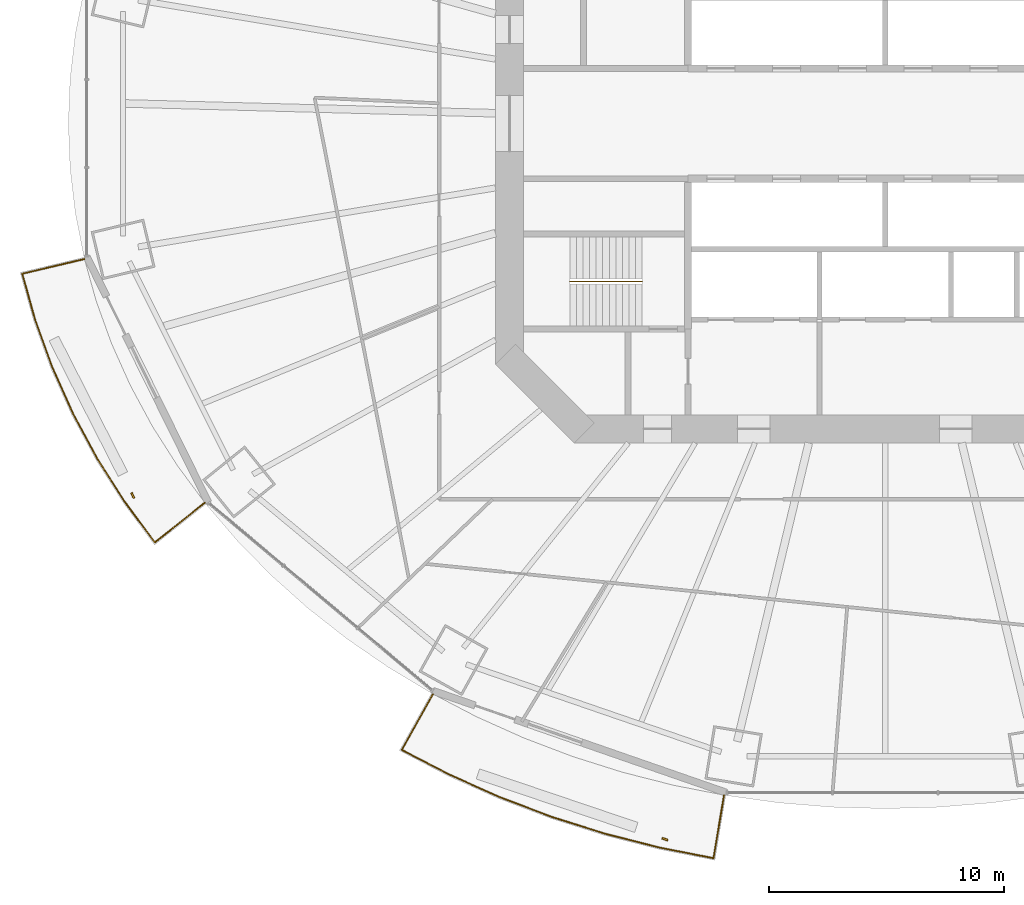
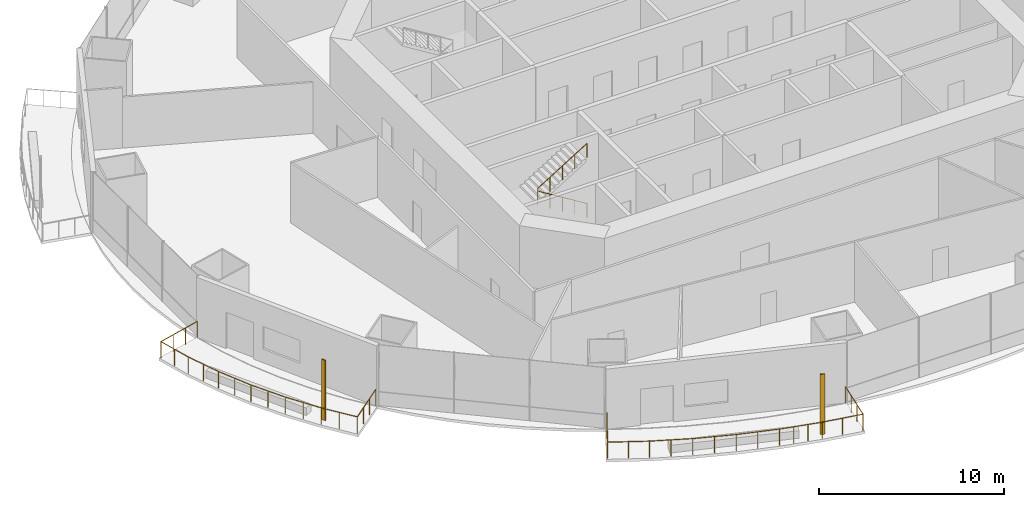
# One storey, part 17 of 22: 3 railings, 2 shading devices.
"""IFC4 building model written with IfcOpenShell, lengths in metres."""

from ifc_helpers import new_model, si_unit, direction, frame, origin, origin_2d, place, context, subcontext, project, spatial, rectangle, circle, extrude, material, material_profile, profile_set, type_object, element, save


model = new_model("IFC4")

# Units and contexts
model_context = context("Model", 3, precision=1e-05, world=origin(), true_north=direction((0.0, 1.0)))
body_context = subcontext(model_context, "Body", "Model", "MODEL_VIEW")
ifc_project = project(units=[si_unit("LENGTHUNIT", "METRE"), si_unit("AREAUNIT", "SQUARE_METRE"), si_unit("VOLUMEUNIT", "CUBIC_METRE"), si_unit("PLANEANGLEUNIT", "RADIAN"), si_unit("MASSUNIT", "GRAM", prefix="KILO")], contexts=[model_context])

# Site, building, storey
site_placement = place(None, origin())
site = spatial("IfcSite", under=ifc_project, at=site_placement, CompositionType="ELEMENT")
building_placement = place(site_placement, origin())
building = spatial("IfcBuilding", under=site, at=building_placement, Name="Marenthal Gate Tower", CompositionType="ELEMENT")
storey_placement = place(building_placement, frame((0.0, 0.0, 103.550048828125)))
storey = spatial("IfcBuildingStorey", under=building, at=storey_placement, Name="L21", CompositionType="ELEMENT", Elevation=103.550048828125)

# Railings
ifc_material_1 = material(Name="Stainless steel", Category="steel")
railing_type_1 = type_object("IfcRailingType", Name="Balcony guard 1100", PredefinedType="GUARDRAIL", material=ifc_material_1)
railing_1_placement = place(storey_placement, frame((-28.97509765625, -16.14501953125, 0.0)))
element("IfcRailing", 1, at=railing_1_placement, inside=storey, type_object=railing_type_1, Name="Balcony guard L21 bay 9", PredefinedType="GUARDRAIL", context=body_context, shape_type="SweptSolid", body=[
    extrude(circle(Radius=0.02392578125, at=origin_2d()), frame((0.0, 0.0, 1.076171875), z_axis=(-0.782218085053, -0.62283082954, -0.014718192514), x_axis=(0.622898300926, -0.782302822892, 0.0)), (0.0, 0.0, 1.0), 2.720458984375),
    extrude(circle(Radius=0.02392578125, at=origin_2d()), frame((-2.1279296875, -1.6943359375, 1.0361328125), z_axis=(-0.594516836854, 0.804083161556, 0.0), x_axis=(-0.804083161556, -0.594516836854, 0.0)), (0.0, 0.0, 1.0), 2.12841796875),
    extrude(circle(Radius=0.02392578125, at=origin_2d()), frame((-3.393310546875, 0.01708984375, 1.0361328125), z_axis=(-0.537452327695, 0.843294133417, 0.0), x_axis=(-0.843294133417, -0.537452327695, 0.0)), (0.0, 0.0, 1.0), 2.1904296875),
    extrude(circle(Radius=0.02392578125, at=origin_2d()), frame((-4.570556640625, 1.8642578125, 1.0361328125), z_axis=(-0.475284522292, 0.879832156078, 0.0), x_axis=(-0.879832156078, -0.475284522292, 0.0)), (0.0, 0.0, 1.0), 2.17431640625),
    extrude(circle(Radius=0.02392578125, at=origin_2d()), frame((-5.60400390625, 3.77734375, 1.0361328125), z_axis=(-0.409429124113, 0.91234192731, 0.0), x_axis=(-0.91234192731, -0.409429124113, 0.0)), (0.0, 0.0, 1.0), 2.15966796875),
    extrude(circle(Radius=0.02392578125, at=origin_2d()), frame((-6.48828125, 5.747802734375, 1.0361328125), z_axis=(-0.340136081654, 0.940376225751, 0.0), x_axis=(-0.940376225751, -0.340136081654, 0.0)), (0.0, 0.0, 1.0), 2.1474609375),
    extrude(circle(Radius=0.02392578125, at=origin_2d()), frame((-7.21875, 7.767333984375, 1.0361328125), z_axis=(-0.269277750694, 0.963062559225, 0.0), x_axis=(-0.963062559225, -0.269277750694, 0.0)), (0.0, 0.0, 1.0), 2.05712890625),
    extrude(circle(Radius=0.02392578125, at=origin_2d()), frame((-7.772705078125, 9.74853515625, 1.0361328125), z_axis=(0.972946801612, 0.230559942195, 0.014718501565), x_axis=(-0.230584919848, 0.973052205557, 0.0)), (0.0, 0.0, 1.0), 2.72021484375),
    extrude(circle(Radius=0.02099609375, at=origin_2d()), origin(), (0.0, 0.0, 1.0), 1.052001953125),
    extrude(circle(Radius=0.02099609375, at=origin_2d()), frame((-0.709228515625, -0.564697265625, -0.013427734375)), (0.0, 0.0, 1.0), 1.052001953125),
    extrude(circle(Radius=0.02099609375, at=origin_2d()), frame((-1.418701171875, -1.129638671875, -0.026611328125)), (0.0, 0.0, 1.0), 1.052001953125),
    extrude(circle(Radius=0.02099609375, at=origin_2d()), frame((-2.1279296875, -1.6943359375, -0.0400390625)), (0.0, 0.0, 1.0), 1.052001953125),
    extrude(circle(Radius=0.02099609375, at=origin_2d()), frame((-2.7607421875, -0.838623046875, -0.0400390625)), (0.0, 0.0, 1.0), 1.052001953125),
    extrude(circle(Radius=0.02099609375, at=origin_2d()), frame((-3.393310546875, 0.01708984375, -0.0400390625)), (0.0, 0.0, 1.0), 1.052001953125),
    extrude(circle(Radius=0.02099609375, at=origin_2d()), frame((-3.98193359375, 0.940673828125, -0.0400390625)), (0.0, 0.0, 1.0), 1.052001953125),
    extrude(circle(Radius=0.02099609375, at=origin_2d()), frame((-4.570556640625, 1.8642578125, -0.0400390625)), (0.0, 0.0, 1.0), 1.052001953125),
    extrude(circle(Radius=0.02099609375, at=origin_2d()), frame((-5.08740234375, 2.82080078125, -0.0400390625)), (0.0, 0.0, 1.0), 1.052001953125),
    extrude(circle(Radius=0.02099609375, at=origin_2d()), frame((-5.60400390625, 3.77734375, -0.0400390625)), (0.0, 0.0, 1.0), 1.052001953125),
    extrude(circle(Radius=0.02099609375, at=origin_2d()), frame((-6.046142578125, 4.7626953125, -0.0400390625)), (0.0, 0.0, 1.0), 1.052001953125),
    extrude(circle(Radius=0.02099609375, at=origin_2d()), frame((-6.48828125, 5.747802734375, -0.0400390625)), (0.0, 0.0, 1.0), 1.052001953125),
    extrude(circle(Radius=0.02099609375, at=origin_2d()), frame((-6.853515625, 6.757568359375, -0.0400390625)), (0.0, 0.0, 1.0), 1.052001953125),
    extrude(circle(Radius=0.02099609375, at=origin_2d()), frame((-7.21875, 7.767333984375, -0.0400390625)), (0.0, 0.0, 1.0), 1.052001953125),
    extrude(circle(Radius=0.02099609375, at=origin_2d()), frame((-7.49560546875, 8.7578125, -0.0400390625)), (0.0, 0.0, 1.0), 1.052001953125),
    extrude(circle(Radius=0.02099609375, at=origin_2d()), frame((-7.772705078125, 9.74853515625, -0.0400390625)), (0.0, 0.0, 1.0), 1.052001953125),
    extrude(circle(Radius=0.02099609375, at=origin_2d()), frame((-6.890380859375, 9.95751953125, -0.026611328125)), (0.0, 0.0, 1.0), 1.052001953125),
    extrude(circle(Radius=0.02099609375, at=origin_2d()), frame((-6.00830078125, 10.166748046875, -0.013427734375)), (0.0, 0.0, 1.0), 1.052001953125),
    extrude(circle(Radius=0.02099609375, at=origin_2d()), frame((-5.1259765625, 10.375732421875, 0.0)), (0.0, 0.0, 1.0), 1.052001953125),
])
railing_2_placement = place(storey_placement, frame((-6.86572265625, -28.59912109375, 0.0)))
element("IfcRailing", 2, at=railing_2_placement, inside=storey, type_object=railing_type_1, Name="Balcony guard L21 bay 11", PredefinedType="GUARDRAIL", context=body_context, shape_type="SweptSolid", body=[
    extrude(circle(Radius=0.02392578125, at=origin_2d()), frame((0.0, 0.0, 1.076171875), z_axis=(-0.164584914213, -0.986253111889, -0.014717516865), x_axis=(0.986359943071, -0.164602742092, 0.0)), (0.0, 0.0, 1.0), 2.720458984375),
    extrude(circle(Radius=0.02392578125, at=origin_2d()), frame((-0.44775390625, -2.68310546875, 1.0361328125), z_axis=(-0.981231836587, 0.192831747562, 0.0), x_axis=(-0.192831747562, -0.981231836587, 0.0)), (0.0, 0.0, 1.0), 2.330810546875),
    extrude(circle(Radius=0.02392578125, at=origin_2d()), frame((-2.73486328125, -2.233642578125, 1.0361328125), z_axis=(-0.969123243842, 0.246576840449, 0.0), x_axis=(-0.246576840449, -0.969123243842, 0.0)), (0.0, 0.0, 1.0), 2.401123046875),
    extrude(circle(Radius=0.02392578125, at=origin_2d()), frame((-5.061767578125, -1.6416015625, 1.0361328125), z_axis=(-0.953610460093, 0.301043336416, 0.0), x_axis=(-0.301043336416, -0.953610460093, 0.0)), (0.0, 0.0, 1.0), 2.38916015625),
    extrude(circle(Radius=0.02392578125, at=origin_2d()), frame((-7.340087890625, -0.92236328125, 1.0361328125), z_axis=(-0.934799959644, 0.355174654852, 0.0), x_axis=(-0.355174654852, -0.934799959644, 0.0)), (0.0, 0.0, 1.0), 2.37548828125),
    extrude(circle(Radius=0.02392578125, at=origin_2d()), frame((-9.560791015625, -0.07861328125, 1.0361328125), z_axis=(-0.91251864488, 0.409035111876, 0.0), x_axis=(-0.409035111876, -0.91251864488, 0.0)), (0.0, 0.0, 1.0), 2.360107421875),
    extrude(circle(Radius=0.02392578125, at=origin_2d()), frame((-11.71435546875, 0.88671875, 1.0361328125), z_axis=(-0.887149676746, 0.461481799261, 0.0), x_axis=(-0.461481799261, -0.887149676746, 0.0)), (0.0, 0.0, 1.0), 2.26318359375),
    extrude(circle(Radius=0.02392578125, at=origin_2d()), frame((-13.72216796875, 1.93115234375, 1.0361328125), z_axis=(0.489129707977, 0.872086857323, 0.014718765524), x_axis=(-0.872181338021, 0.489182699621, 0.0)), (0.0, 0.0, 1.0), 2.72021484375),
    extrude(circle(Radius=0.02099609375, at=origin_2d()), origin(), (0.0, 0.0, 1.0), 1.052001953125),
    extrude(circle(Radius=0.02099609375, at=origin_2d()), frame((-0.149169921875, -0.894287109375, -0.013427734375)), (0.0, 0.0, 1.0), 1.052001953125),
    extrude(circle(Radius=0.02099609375, at=origin_2d()), frame((-0.298583984375, -1.788818359375, -0.026611328125)), (0.0, 0.0, 1.0), 1.052001953125),
    extrude(circle(Radius=0.02099609375, at=origin_2d()), frame((-0.44775390625, -2.68310546875, -0.0400390625)), (0.0, 0.0, 1.0), 1.052001953125),
    extrude(circle(Radius=0.02099609375, at=origin_2d()), frame((-1.59130859375, -2.45849609375, -0.0400390625)), (0.0, 0.0, 1.0), 1.052001953125),
    extrude(circle(Radius=0.02099609375, at=origin_2d()), frame((-2.73486328125, -2.233642578125, -0.0400390625)), (0.0, 0.0, 1.0), 1.052001953125),
    extrude(circle(Radius=0.02099609375, at=origin_2d()), frame((-3.510498046875, -2.036376953125, -0.0400390625)), (0.0, 0.0, 1.0), 1.052001953125),
    extrude(circle(Radius=0.02099609375, at=origin_2d()), frame((-4.2861328125, -1.8388671875, -0.0400390625)), (0.0, 0.0, 1.0), 1.052001953125),
    extrude(circle(Radius=0.02099609375, at=origin_2d()), frame((-5.061767578125, -1.6416015625, -0.0400390625)), (0.0, 0.0, 1.0), 1.052001953125),
    extrude(circle(Radius=0.02099609375, at=origin_2d()), frame((-6.200927734375, -1.281982421875, -0.0400390625)), (0.0, 0.0, 1.0), 1.052001953125),
    extrude(circle(Radius=0.02099609375, at=origin_2d()), frame((-7.340087890625, -0.92236328125, -0.0400390625)), (0.0, 0.0, 1.0), 1.052001953125),
    extrude(circle(Radius=0.02099609375, at=origin_2d()), frame((-8.450439453125, -0.50048828125, -0.0400390625)), (0.0, 0.0, 1.0), 1.052001953125),
    extrude(circle(Radius=0.02099609375, at=origin_2d()), frame((-9.560791015625, -0.07861328125, -0.0400390625)), (0.0, 0.0, 1.0), 1.052001953125),
    extrude(circle(Radius=0.02099609375, at=origin_2d()), frame((-10.6376953125, 0.404052734375, -0.0400390625)), (0.0, 0.0, 1.0), 1.052001953125),
    extrude(circle(Radius=0.02099609375, at=origin_2d()), frame((-11.71435546875, 0.88671875, -0.0400390625)), (0.0, 0.0, 1.0), 1.052001953125),
    extrude(circle(Radius=0.02099609375, at=origin_2d()), frame((-12.71826171875, 1.408935546875, -0.0400390625)), (0.0, 0.0, 1.0), 1.052001953125),
    extrude(circle(Radius=0.02099609375, at=origin_2d()), frame((-13.72216796875, 1.93115234375, -0.0400390625)), (0.0, 0.0, 1.0), 1.052001953125),
    extrude(circle(Radius=0.02099609375, at=origin_2d()), frame((-13.278564453125, 2.721923828125, -0.026611328125)), (0.0, 0.0, 1.0), 1.052001953125),
    extrude(circle(Radius=0.02099609375, at=origin_2d()), frame((-12.835205078125, 3.5126953125, -0.013427734375)), (0.0, 0.0, 1.0), 1.052001953125),
    extrude(circle(Radius=0.02099609375, at=origin_2d()), frame((-12.3916015625, 4.303466796875, 0.0)), (0.0, 0.0, 1.0), 1.052001953125),
])
ifc_material_2 = material(Name="Stainless steel", Category="steel")
railing_type_2 = type_object("IfcRailingType", Name="Stair handrail", PredefinedType="HANDRAIL", material=ifc_material_2)
railing_3_placement = place(storey_placement, frame((-10.35009765625, -6.72509765625, 0.1728515625)))
element("IfcRailing", 3, at=railing_3_placement, inside=storey, type_object=railing_type_2, Name="Handrail ST2", PredefinedType="HANDRAIL", context=body_context, shape_type="SweptSolid", body=[
    extrude(circle(Radius=0.0224609375, at=origin_2d()), frame((0.0, 0.0, 0.927490234375), z_axis=(-0.850816621229, 0.0, 0.525462726595), x_axis=(0.0, -1.0, 0.0)), (0.0, 0.0, 1.0), 3.619873046875),
    extrude(circle(Radius=0.0224609375, at=origin_2d()), frame((-3.079833984375, 0.0, 2.82958984375), z_axis=(0.0, 0.0, 1.0), x_axis=(1.0, 0.0, 0.0)), (0.0, 0.0, 1.0), 0.1728515625),
    extrude(circle(Radius=0.0224609375, at=origin_2d()), frame((-3.079833984375, 0.0, 3.00244140625), z_axis=(0.850816621229, 0.0, 0.525462726595), x_axis=(0.0, 1.0, 0.0)), (0.0, 0.0, 1.0), 3.619873046875),
    extrude(circle(Radius=0.02001953125, at=origin_2d()), origin(), (0.0, 0.0, 1.0), 0.905029296875),
    extrude(circle(Radius=0.02001953125, at=origin_2d()), frame((-0.77001953125, 0.0, 0.4755859375)), (0.0, 0.0, 1.0), 0.905029296875),
    extrude(circle(Radius=0.02001953125, at=origin_2d()), frame((-1.5400390625, 0.0, 0.951171875)), (0.0, 0.0, 1.0), 0.905029296875),
    extrude(circle(Radius=0.02001953125, at=origin_2d()), frame((-2.309814453125, 0.0, 1.426513671875)), (0.0, 0.0, 1.0), 0.905029296875),
    extrude(circle(Radius=0.02001953125, at=origin_2d()), frame((-3.079833984375, 0.0, 1.902099609375)), (0.0, 0.0, 1.0), 0.905029296875),
    extrude(circle(Radius=0.02001953125, at=origin_2d()), frame((-3.079833984375, 0.0, 2.074951171875)), (0.0, 0.0, 1.0), 0.905029296875),
    extrude(circle(Radius=0.02001953125, at=origin_2d()), frame((-2.309814453125, 0.0, 2.550537109375)), (0.0, 0.0, 1.0), 0.905029296875),
    extrude(circle(Radius=0.02001953125, at=origin_2d()), frame((-1.5400390625, 0.0, 3.02587890625)), (0.0, 0.0, 1.0), 0.905029296875),
    extrude(circle(Radius=0.02001953125, at=origin_2d()), frame((-0.77001953125, 0.0, 3.50146484375)), (0.0, 0.0, 1.0), 0.905029296875),
    extrude(circle(Radius=0.02001953125, at=origin_2d()), frame((0.0, 0.0, 3.97705078125)), (0.0, 0.0, 1.0), 0.905029296875),
])

# Shading devices
ifc_material_3 = material(Name="Terracotta", Category="masonry")
ifc_material_profile = material_profile(ifc_material_3, rectangle(XDim=0.25, YDim=0.080078125, at=origin_2d()), Name="Terracotta baguette 250x80")
ifc_profile_set = profile_set([ifc_material_profile], Name="Terracotta")
shading_device_type = type_object("IfcShadingDeviceType", Name="Terracotta BAGUETTE SCREEN 250x80", PredefinedType="USERDEFINED", material=ifc_profile_set)
for number, where, z_axis, x_axis, name in (
    (4, (-32.043701171875, -15.835205078125, -0.0400390625), (0.0, 0.0, 1.0), (0.44279047576, -0.896625113733, 0.0), "Terracotta BAGUETTE L21 bay 9R"),
    (5, (-9.382568359375, -30.47314453125, -0.0400390625), (0.0, 0.0, 1.0), (0.94461425051, -0.328182750512, 0.0), "Terracotta BAGUETTE L21 bay 11R"),
):
    element("IfcShadingDevice", number, at=place(storey_placement, frame(where, z_axis=z_axis, x_axis=x_axis)), inside=storey, type_object=shading_device_type, Name=name, ObjectType="BAGUETTE SCREEN", PredefinedType="USERDEFINED", context=body_context, shape_type="SweptSolid", body=[
        extrude(rectangle(XDim=0.25, YDim=0.080078125, at=origin_2d()), origin(), (0.0, 0.0, 1.0), 3.969970703125),
    ])

save(model, "model.ifc")
